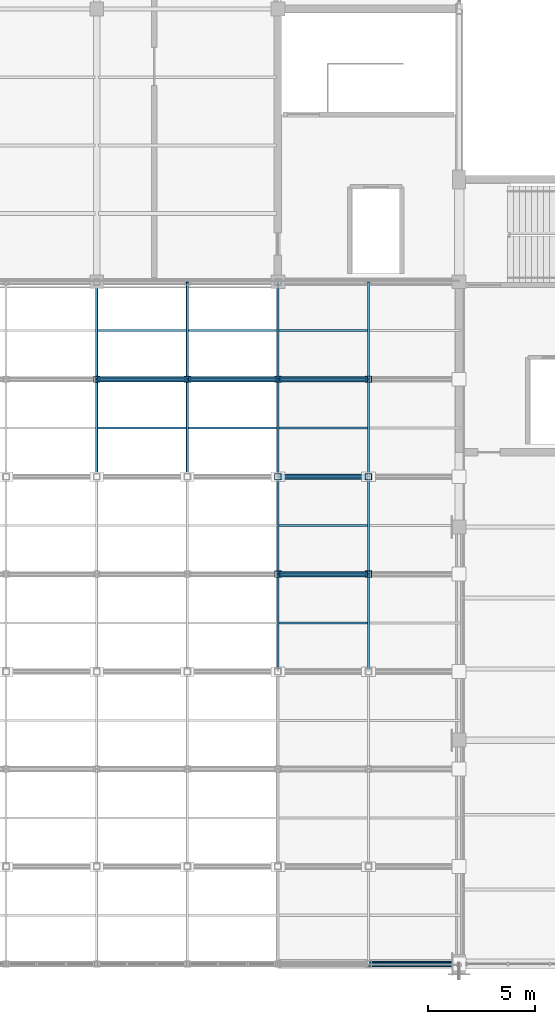
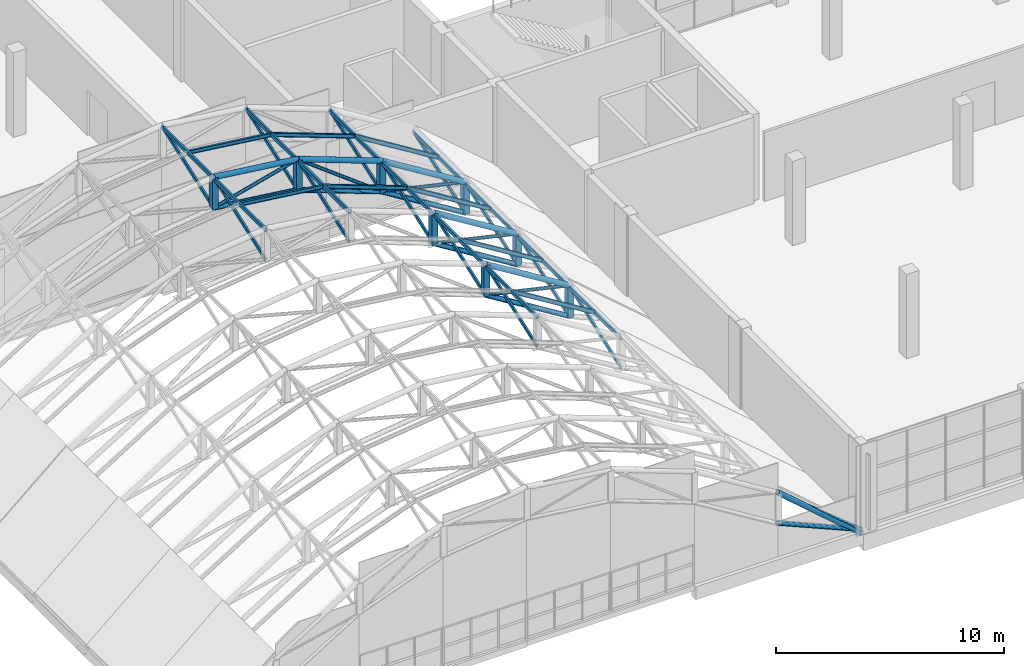
# One storey, part 16 of 86: 58 members.
"""IFC4 building model written with IfcOpenShell, lengths in metres."""

from ifc_helpers import new_model, si_unit, direction, frame, origin, origin_2d, place, context, subcontext, project, spatial, hollow_rectangle, hollow_circle, i_section, extrude, material, material_profile, profile_set, type_object, element, save


model = new_model("IFC4")

# Units and contexts
model_context = context("Model", 3, precision=1e-05, world=origin(), true_north=direction((0.0, 1.0)))
body_context = subcontext(model_context, "Body", "Model", "MODEL_VIEW")
ifc_project = project(units=[si_unit("LENGTHUNIT", "METRE"), si_unit("AREAUNIT", "SQUARE_METRE"), si_unit("VOLUMEUNIT", "CUBIC_METRE"), si_unit("PLANEANGLEUNIT", "RADIAN"), si_unit("MASSUNIT", "GRAM", prefix="KILO")], contexts=[model_context])

# Site, building, storey
site_placement = place(None, origin())
site = spatial("IfcSite", under=ifc_project, at=site_placement, CompositionType="ELEMENT")
building_placement = place(site_placement, origin())
building = spatial("IfcBuilding", under=site, at=building_placement, Name="Solvikara Media Centre", CompositionType="ELEMENT")
storey_placement = place(building_placement, frame((0.0, 0.0, 15.0)))
storey = spatial("IfcBuildingStorey", under=building, at=storey_placement, Name="L03", CompositionType="ELEMENT", Elevation=15.0)

# Members
ifc_material = material(Name="Steel S355JR", Category="steel")
ifc_material_profile_1 = material_profile(ifc_material, hollow_circle(Radius=0.136474609375, WallThickness=0.010009765625, at=origin_2d()), Name="CHS 273x10")
ifc_profile_set_1 = profile_set([ifc_material_profile_1], Name="Steel S355JR")
member_type_1 = type_object("IfcMemberType", Name="MB-03", PredefinedType="CHORD", material=ifc_profile_set_1)
member_1_placement = place(storey_placement, frame((29.75, 0.0, 3.3798828125), z_axis=(0.756439869263, 0.0, -0.654063241736), x_axis=(0.0, 1.0, 0.0)))
element("IfcMember", 1, at=member_1_placement, inside=storey, type_object=member_type_1, Name="Space Frame Vault Chord GC-TC-00-07", PredefinedType="CHORD", context=body_context, shape_type="SweptSolid", body=[
    extrude(hollow_circle(Radius=0.136474609375, WallThickness=0.010009765625, at=origin_2d()), origin(), (0.0, 0.0, 1.0), 5.618408203125),
])
for number, where, z_axis, x_axis, name in (
    (2, (25.5, 18.285888671875, 6.0048828125), (0.850797997359, 0.0, -0.525492880722), (0.0, 1.0, 0.0), "Space Frame Vault Chord GC-TC-04-06"),
    (3, (25.5, 22.85693359375, 6.0048828125), (0.850797997359, 0.0, -0.525492880722), (0.0, 1.0, 0.0), "Space Frame Vault Chord GC-TC-05-06"),
):
    element("IfcMember", number, at=place(storey_placement, frame(where, z_axis=z_axis, x_axis=x_axis)), inside=storey, type_object=member_type_1, Name=name, PredefinedType="CHORD", context=body_context, shape_type="SweptSolid", body=[
        extrude(hollow_circle(Radius=0.136474609375, WallThickness=0.010009765625, at=origin_2d()), origin(), (0.0, 0.0, 1.0), 4.995361328125),
    ])
member_2_placement = place(storey_placement, frame((17.0, 27.428955078125, 8.10498046875), z_axis=(0.992459240716, 0.0, -0.122575101536), x_axis=(0.0, 1.0, 0.0)))
element("IfcMember", 4, at=member_2_placement, inside=storey, type_object=member_type_1, Name="Space Frame Vault Chord GC-TC-06-04", PredefinedType="CHORD", context=body_context, shape_type="SweptSolid", body=[
    extrude(hollow_circle(Radius=0.136474609375, WallThickness=0.010009765625, at=origin_2d()), origin(), (0.0, 0.0, 1.0), 4.2822265625),
])
member_3_placement = place(storey_placement, frame((21.25, 27.428955078125, 7.580078125), z_axis=(0.937668166589, 0.0, -0.347531882516), x_axis=(0.0, 1.0, 0.0)))
element("IfcMember", 5, at=member_3_placement, inside=storey, type_object=member_type_1, Name="Space Frame Vault Chord GC-TC-06-05", PredefinedType="CHORD", context=body_context, shape_type="SweptSolid", body=[
    extrude(hollow_circle(Radius=0.136474609375, WallThickness=0.010009765625, at=origin_2d()), origin(), (0.0, 0.0, 1.0), 4.532470703125),
])
member_4_placement = place(storey_placement, frame((25.5, 27.428955078125, 6.0048828125), z_axis=(0.850797997359, 0.0, -0.525492880722), x_axis=(0.0, 1.0, 0.0)))
element("IfcMember", 6, at=member_4_placement, inside=storey, type_object=member_type_1, Name="Space Frame Vault Chord GC-TC-06-06", PredefinedType="CHORD", context=body_context, shape_type="SweptSolid", body=[
    extrude(hollow_circle(Radius=0.136474609375, WallThickness=0.010009765625, at=origin_2d()), origin(), (0.0, 0.0, 1.0), 4.995361328125),
])
ifc_material_profile_2 = material_profile(ifc_material, hollow_circle(Radius=0.122314453125, WallThickness=0.010009765625, at=origin_2d()), Name="CHS 244.5x10")
ifc_profile_set_2 = profile_set([ifc_material_profile_2], Name="Steel S355JR")
member_type_2 = type_object("IfcMemberType", Name="MB-04", PredefinedType="CHORD", material=ifc_profile_set_2)
member_5_placement = place(storey_placement, frame((29.75, 0.0, 1.72998046875), z_axis=(0.918466874624, 0.0, -0.395497914303), x_axis=(0.0, 1.0, 0.0)))
element("IfcMember", 7, at=member_5_placement, inside=storey, type_object=member_type_2, Name="GC-BC-00-07", PredefinedType="CHORD", context=body_context, shape_type="SweptSolid", body=[
    extrude(hollow_circle(Radius=0.122314453125, WallThickness=0.010009765625, at=origin_2d()), origin(), (0.0, 0.0, 1.0), 4.627197265625),
])
for number, where, z_axis, x_axis, name in (
    (8, (25.5, 18.285888671875, 4.35498046875), (0.850797997359, 0.0, -0.525492880722), (0.0, 1.0, 0.0), "GC-BC-04-06"),
    (9, (25.5, 22.85693359375, 4.35498046875), (0.850797997359, 0.0, -0.525492880722), (0.0, 1.0, 0.0), "GC-BC-05-06"),
):
    element("IfcMember", number, at=place(storey_placement, frame(where, z_axis=z_axis, x_axis=x_axis)), inside=storey, type_object=member_type_2, Name=name, PredefinedType="CHORD", context=body_context, shape_type="SweptSolid", body=[
        extrude(hollow_circle(Radius=0.122314453125, WallThickness=0.010009765625, at=origin_2d()), origin(), (0.0, 0.0, 1.0), 4.995361328125),
    ])
member_6_placement = place(storey_placement, frame((17.0, 27.428955078125, 6.455078125), z_axis=(0.992452303661, 0.0, -0.122631256042), x_axis=(0.0, 1.0, 0.0)))
element("IfcMember", 10, at=member_6_placement, inside=storey, type_object=member_type_2, Name="GC-BC-06-04", PredefinedType="CHORD", context=body_context, shape_type="SweptSolid", body=[
    extrude(hollow_circle(Radius=0.122314453125, WallThickness=0.010009765625, at=origin_2d()), origin(), (0.0, 0.0, 1.0), 4.2822265625),
])
member_7_placement = place(storey_placement, frame((21.25, 27.428955078125, 5.929931640625), z_axis=(0.93768571843, 0.0, -0.34748452261), x_axis=(0.0, 1.0, 0.0)))
element("IfcMember", 11, at=member_7_placement, inside=storey, type_object=member_type_2, Name="GC-BC-06-05", PredefinedType="CHORD", context=body_context, shape_type="SweptSolid", body=[
    extrude(hollow_circle(Radius=0.122314453125, WallThickness=0.010009765625, at=origin_2d()), origin(), (0.0, 0.0, 1.0), 4.532470703125),
])
member_8_placement = place(storey_placement, frame((25.5, 27.428955078125, 4.35498046875), z_axis=(0.850797997359, 0.0, -0.525492880722), x_axis=(0.0, 1.0, 0.0)))
element("IfcMember", 12, at=member_8_placement, inside=storey, type_object=member_type_2, Name="GC-BC-06-06", PredefinedType="CHORD", context=body_context, shape_type="SweptSolid", body=[
    extrude(hollow_circle(Radius=0.122314453125, WallThickness=0.010009765625, at=origin_2d()), origin(), (0.0, 0.0, 1.0), 4.995361328125),
])
ifc_material_profile_3 = material_profile(ifc_material, hollow_circle(Radius=0.084228515625, WallThickness=0.007080078125, at=origin_2d()), Name="CHS 168.3x7.1")
ifc_profile_set_3 = profile_set([ifc_material_profile_3], Name="Steel S355JR")
member_type_3 = type_object("IfcMemberType", Name="MB-07", PredefinedType="BRACE", material=ifc_profile_set_3)
member_9_placement = place(storey_placement, frame((29.75, 0.0, 3.3798828125), z_axis=(0.773715650361, 0.0, -0.633533023911), x_axis=(0.0, 1.0, 0.0)))
element("IfcMember", 13, at=member_9_placement, inside=storey, type_object=member_type_3, Name="GC-DG-00-07", PredefinedType="BRACE", context=body_context, shape_type="SweptSolid", body=[
    extrude(hollow_circle(Radius=0.084228515625, WallThickness=0.007080078125, at=origin_2d()), origin(), (0.0, 0.0, 1.0), 5.492919921875),
])
for number, where, z_axis, x_axis, name in (
    (14, (25.5, 18.285888671875, 4.35498046875), (0.974675396372, 0.0, -0.223624398731), (0.0, 1.0, 0.0), "GC-DG-04-06"),
    (15, (25.5, 22.85693359375, 4.35498046875), (0.974675396372, 0.0, -0.223624398731), (0.0, 1.0, 0.0), "GC-DG-05-06"),
):
    element("IfcMember", number, at=place(storey_placement, frame(where, z_axis=z_axis, x_axis=x_axis)), inside=storey, type_object=member_type_3, Name=name, PredefinedType="BRACE", context=body_context, shape_type="SweptSolid", body=[
        extrude(hollow_circle(Radius=0.084228515625, WallThickness=0.007080078125, at=origin_2d()), origin(), (0.0, 0.0, 1.0), 4.3603515625),
    ])
member_10_placement = place(storey_placement, frame((17.0, 27.428955078125, 6.455078125), z_axis=(0.966705227862, 0.0, 0.255892560316), x_axis=(0.0, 1.0, 0.0)))
element("IfcMember", 16, at=member_10_placement, inside=storey, type_object=member_type_3, Name="GC-DG-06-04", PredefinedType="BRACE", context=body_context, shape_type="SweptSolid", body=[
    extrude(hollow_circle(Radius=0.084228515625, WallThickness=0.007080078125, at=origin_2d()), origin(), (0.0, 0.0, 1.0), 4.396484375),
])
member_11_placement = place(storey_placement, frame((21.25, 27.428955078125, 7.580078125), z_axis=(0.796604645228, 0.0, -0.604500652772), x_axis=(0.0, 1.0, 0.0)))
element("IfcMember", 17, at=member_11_placement, inside=storey, type_object=member_type_3, Name="GC-DG-06-05", PredefinedType="BRACE", context=body_context, shape_type="SweptSolid", body=[
    extrude(hollow_circle(Radius=0.084228515625, WallThickness=0.007080078125, at=origin_2d()), origin(), (0.0, 0.0, 1.0), 5.335205078125),
])
member_12_placement = place(storey_placement, frame((25.5, 27.428955078125, 4.35498046875), z_axis=(0.974675396372, 0.0, -0.223624398731), x_axis=(0.0, 1.0, 0.0)))
element("IfcMember", 18, at=member_12_placement, inside=storey, type_object=member_type_3, Name="GC-DG-06-06", PredefinedType="BRACE", context=body_context, shape_type="SweptSolid", body=[
    extrude(hollow_circle(Radius=0.084228515625, WallThickness=0.007080078125, at=origin_2d()), origin(), (0.0, 0.0, 1.0), 4.3603515625),
])
ifc_material_profile_4 = material_profile(ifc_material, hollow_rectangle(XDim=0.300048828125, YDim=0.300048828125, WallThickness=0.012451171875, at=origin_2d()), Name="RHS 300x300x12.5")
ifc_profile_set_4 = profile_set([ifc_material_profile_4], Name="Steel S355JR")
member_type_4 = type_object("IfcMemberType", Name="MB-11", PredefinedType="CHORD", material=ifc_profile_set_4)
for number, where, z_axis, x_axis, name in (
    (19, (25.5, 18.285888671875, 4.35498046875), (0.0, 0.0, 1.0), (1.0, 0.0, 0.0), "GC-VT-04-06"),
    (20, (29.75, 18.285888671875, 1.72998046875), (0.0, 0.0, 1.0), (1.0, 0.0, 0.0), "GC-VT-04-07"),
    (21, (25.5, 22.85693359375, 4.35498046875), (0.0, 0.0, 1.0), (1.0, 0.0, 0.0), "GC-VT-05-06"),
    (22, (29.75, 22.85693359375, 1.72998046875), (0.0, 0.0, 1.0), (1.0, 0.0, 0.0), "GC-VT-05-07"),
    (23, (17.0, 27.428955078125, 6.455078125), (0.0, 0.0, 1.0), (1.0, 0.0, 0.0), "GC-VT-06-04"),
):
    element("IfcMember", number, at=place(storey_placement, frame(where, z_axis=z_axis, x_axis=x_axis)), inside=storey, type_object=member_type_4, Name=name, PredefinedType="CHORD", context=body_context, shape_type="SweptSolid", body=[
        extrude(hollow_rectangle(XDim=0.300048828125, YDim=0.300048828125, WallThickness=0.012451171875, at=origin_2d()), origin(), (0.0, 0.0, 1.0), 1.64990234375),
    ])
member_13_placement = place(storey_placement, frame((21.25, 27.428955078125, 5.929931640625), z_axis=(0.0, 0.0, 1.0), x_axis=(1.0, 0.0, 0.0)))
element("IfcMember", 24, at=member_13_placement, inside=storey, type_object=member_type_4, Name="GC-VT-06-05", PredefinedType="CHORD", context=body_context, shape_type="SweptSolid", body=[
    extrude(hollow_rectangle(XDim=0.300048828125, YDim=0.300048828125, WallThickness=0.012451171875, at=origin_2d()), origin(), (0.0, 0.0, 1.0), 1.650146484375),
])
for number, where, z_axis, x_axis, name in (
    (25, (25.5, 27.428955078125, 4.35498046875), (0.0, 0.0, 1.0), (1.0, 0.0, 0.0), "GC-VT-06-06"),
    (26, (29.75, 27.428955078125, 1.72998046875), (0.0, 0.0, 1.0), (1.0, 0.0, 0.0), "GC-VT-06-07"),
):
    element("IfcMember", number, at=place(storey_placement, frame(where, z_axis=z_axis, x_axis=x_axis)), inside=storey, type_object=member_type_4, Name=name, PredefinedType="CHORD", context=body_context, shape_type="SweptSolid", body=[
        extrude(hollow_rectangle(XDim=0.300048828125, YDim=0.300048828125, WallThickness=0.012451171875, at=origin_2d()), origin(), (0.0, 0.0, 1.0), 1.64990234375),
    ])
ifc_material_profile_5 = material_profile(ifc_material, hollow_rectangle(XDim=0.10009765625, YDim=0.199951171875, WallThickness=0.00634765625, at=origin_2d()), Name="RHS 200x100x6.3")
ifc_profile_set_5 = profile_set([ifc_material_profile_5], Name="Steel S355JR")
member_type_5 = type_object("IfcMemberType", Name="MB-17", PredefinedType="PURLIN", material=ifc_profile_set_5)
for number, where, z_axis, x_axis, name in (
    (27, (25.5, 13.714111328125, 5.93994140625), (0.0, 1.0, 0.0), (-1.0, 0.0, 0.0), "GC-PRL-03-06"),
    (28, (29.75, 13.714111328125, 3.31494140625), (0.0, 1.0, 0.0), (-1.0, 0.0, 0.0), "GC-PRL-03-07"),
):
    element("IfcMember", number, at=place(storey_placement, frame(where, z_axis=z_axis, x_axis=x_axis)), inside=storey, type_object=member_type_5, Name=name, PredefinedType="PURLIN", context=body_context, shape_type="SweptSolid", body=[
        extrude(hollow_rectangle(XDim=0.10009765625, YDim=0.199951171875, WallThickness=0.00634765625, at=origin_2d()), origin(), (0.0, 0.0, 1.0), 4.57177734375),
    ])
for number, where, z_axis, x_axis, name in (
    (29, (25.5, 18.285888671875, 5.93994140625), (0.0, 1.0, 0.0), (-1.0, 0.0, 0.0), "GC-PRL-04-06"),
    (30, (29.75, 18.285888671875, 3.31494140625), (0.0, 1.0, 0.0), (-1.0, 0.0, 0.0), "GC-PRL-04-07"),
):
    element("IfcMember", number, at=place(storey_placement, frame(where, z_axis=z_axis, x_axis=x_axis)), inside=storey, type_object=member_type_5, Name=name, PredefinedType="PURLIN", context=body_context, shape_type="SweptSolid", body=[
        extrude(hollow_rectangle(XDim=0.10009765625, YDim=0.199951171875, WallThickness=0.00634765625, at=origin_2d()), origin(), (0.0, 0.0, 1.0), 4.571044921875),
    ])
for number, where, z_axis, x_axis, name in (
    (31, (17.0, 22.85693359375, 8.0400390625), (0.0, 1.0, 0.0), (-1.0, 0.0, 0.0), "GC-PRL-05-04"),
    (32, (21.25, 22.85693359375, 7.514892578125), (0.0, 1.0, 0.0), (-1.0, 0.0, 0.0), "GC-PRL-05-05"),
    (33, (25.5, 22.85693359375, 5.93994140625), (0.0, 1.0, 0.0), (-1.0, 0.0, 0.0), "GC-PRL-05-06"),
    (34, (29.75, 22.85693359375, 3.31494140625), (0.0, 1.0, 0.0), (-1.0, 0.0, 0.0), "GC-PRL-05-07"),
):
    element("IfcMember", number, at=place(storey_placement, frame(where, z_axis=z_axis, x_axis=x_axis)), inside=storey, type_object=member_type_5, Name=name, PredefinedType="PURLIN", context=body_context, shape_type="SweptSolid", body=[
        extrude(hollow_rectangle(XDim=0.10009765625, YDim=0.199951171875, WallThickness=0.00634765625, at=origin_2d()), origin(), (0.0, 0.0, 1.0), 4.572021484375),
    ])
for number, where, z_axis, x_axis, name in (
    (35, (17.0, 27.428955078125, 8.0400390625), (0.0, 1.0, 0.0), (-1.0, 0.0, 0.0), "GC-PRL-06-04"),
    (36, (21.25, 27.428955078125, 7.514892578125), (0.0, 1.0, 0.0), (-1.0, 0.0, 0.0), "GC-PRL-06-05"),
    (37, (25.5, 27.428955078125, 5.93994140625), (0.0, 1.0, 0.0), (-1.0, 0.0, 0.0), "GC-PRL-06-06"),
    (38, (29.75, 27.428955078125, 3.31494140625), (0.0, 1.0, 0.0), (-1.0, 0.0, 0.0), "GC-PRL-06-07"),
):
    element("IfcMember", number, at=place(storey_placement, frame(where, z_axis=z_axis, x_axis=x_axis)), inside=storey, type_object=member_type_5, Name=name, PredefinedType="PURLIN", context=body_context, shape_type="SweptSolid", body=[
        extrude(hollow_rectangle(XDim=0.10009765625, YDim=0.199951171875, WallThickness=0.00634765625, at=origin_2d()), origin(), (0.0, 0.0, 1.0), 4.571044921875),
    ])
ifc_material_profile_6 = material_profile(ifc_material, i_section(OverallWidth=0.10009765625, OverallDepth=0.199951171875, WebThickness=0.005615234375, FlangeThickness=0.008056640625, at=origin_2d()), Name="WF 200x100x5.5x8")
ifc_profile_set_6 = profile_set([ifc_material_profile_6], Name="Steel S355JR")
member_type_6 = type_object("IfcMemberType", Name="MB-21", PredefinedType="PURLIN", material=ifc_profile_set_6)
for number, where, z_axis, x_axis, name in (
    (39, (25.5, 16.0, 5.93994140625), (0.850797997359, 0.0, -0.525492880722), (0.0, 1.0, 0.0), "GC-SUB-03-06"),
    (40, (25.5, 20.572021484375, 5.93994140625), (0.850797997359, 0.0, -0.525492880722), (0.0, 1.0, 0.0), "GC-SUB-04-06"),
):
    element("IfcMember", number, at=place(storey_placement, frame(where, z_axis=z_axis, x_axis=x_axis)), inside=storey, type_object=member_type_6, Name=name, PredefinedType="PURLIN", context=body_context, shape_type="SweptSolid", body=[
        extrude(i_section(OverallWidth=0.10009765625, OverallDepth=0.199951171875, WebThickness=0.005615234375, FlangeThickness=0.008056640625, at=origin_2d()), origin(), (0.0, 0.0, 1.0), 4.995361328125),
    ])
member_14_placement = place(storey_placement, frame((17.0, 25.14306640625, 8.0400390625), z_axis=(0.992452303661, 0.0, -0.122631256042), x_axis=(0.0, 1.0, 0.0)))
element("IfcMember", 41, at=member_14_placement, inside=storey, type_object=member_type_6, Name="GC-SUB-05-04", PredefinedType="PURLIN", context=body_context, shape_type="SweptSolid", body=[
    extrude(i_section(OverallWidth=0.10009765625, OverallDepth=0.199951171875, WebThickness=0.005615234375, FlangeThickness=0.008056640625, at=origin_2d()), origin(), (0.0, 0.0, 1.0), 4.2822265625),
])
member_15_placement = place(storey_placement, frame((21.25, 25.14306640625, 7.514892578125), z_axis=(0.93768571843, 0.0, -0.34748452261), x_axis=(0.0, 1.0, 0.0)))
element("IfcMember", 42, at=member_15_placement, inside=storey, type_object=member_type_6, Name="GC-SUB-05-05", PredefinedType="PURLIN", context=body_context, shape_type="SweptSolid", body=[
    extrude(i_section(OverallWidth=0.10009765625, OverallDepth=0.199951171875, WebThickness=0.005615234375, FlangeThickness=0.008056640625, at=origin_2d()), origin(), (0.0, 0.0, 1.0), 4.532470703125),
])
member_16_placement = place(storey_placement, frame((25.5, 25.14306640625, 5.93994140625), z_axis=(0.850797997359, 0.0, -0.525492880722), x_axis=(0.0, 1.0, 0.0)))
element("IfcMember", 43, at=member_16_placement, inside=storey, type_object=member_type_6, Name="GC-SUB-05-06", PredefinedType="PURLIN", context=body_context, shape_type="SweptSolid", body=[
    extrude(i_section(OverallWidth=0.10009765625, OverallDepth=0.199951171875, WebThickness=0.005615234375, FlangeThickness=0.008056640625, at=origin_2d()), origin(), (0.0, 0.0, 1.0), 4.995361328125),
])
member_17_placement = place(storey_placement, frame((17.0, 29.715087890625, 8.0400390625), z_axis=(0.992452303661, 0.0, -0.122631256042), x_axis=(0.0, 1.0, 0.0)))
element("IfcMember", 44, at=member_17_placement, inside=storey, type_object=member_type_6, Name="GC-SUB-06-04", PredefinedType="PURLIN", context=body_context, shape_type="SweptSolid", body=[
    extrude(i_section(OverallWidth=0.10009765625, OverallDepth=0.199951171875, WebThickness=0.005615234375, FlangeThickness=0.008056640625, at=origin_2d()), origin(), (0.0, 0.0, 1.0), 4.2822265625),
])
member_18_placement = place(storey_placement, frame((21.25, 29.715087890625, 7.514892578125), z_axis=(0.93768571843, 0.0, -0.34748452261), x_axis=(0.0, 1.0, 0.0)))
element("IfcMember", 45, at=member_18_placement, inside=storey, type_object=member_type_6, Name="GC-SUB-06-05", PredefinedType="PURLIN", context=body_context, shape_type="SweptSolid", body=[
    extrude(i_section(OverallWidth=0.10009765625, OverallDepth=0.199951171875, WebThickness=0.005615234375, FlangeThickness=0.008056640625, at=origin_2d()), origin(), (0.0, 0.0, 1.0), 4.532470703125),
])
member_19_placement = place(storey_placement, frame((25.5, 29.715087890625, 5.93994140625), z_axis=(0.850797997359, 0.0, -0.525492880722), x_axis=(0.0, 1.0, 0.0)))
element("IfcMember", 46, at=member_19_placement, inside=storey, type_object=member_type_6, Name="GC-SUB-06-06", PredefinedType="PURLIN", context=body_context, shape_type="SweptSolid", body=[
    extrude(i_section(OverallWidth=0.10009765625, OverallDepth=0.199951171875, WebThickness=0.005615234375, FlangeThickness=0.008056640625, at=origin_2d()), origin(), (0.0, 0.0, 1.0), 4.995361328125),
])
ifc_material_profile_7 = material_profile(ifc_material, hollow_rectangle(XDim=0.090087890625, YDim=0.169921875, WallThickness=0.0048828125, at=origin_2d()), Name="RHS 170x90x5")
ifc_profile_set_7 = profile_set([ifc_material_profile_7], Name="Steel S355JR")
member_type_7 = type_object("IfcMemberType", Name="MB-26", PredefinedType="PURLIN", material=ifc_profile_set_7)
for number, where, z_axis, x_axis, name in (
    (47, (25.5, 13.714111328125, 4.35498046875), (0.0, 0.94062074149, 0.339459306365), (-1.0, 0.0, 0.0), "GC-3D-03-06"),
    (48, (29.75, 13.714111328125, 1.72998046875), (0.0, 0.94062074149, 0.339459306365), (-1.0, 0.0, 0.0), "GC-3D-03-07"),
):
    element("IfcMember", number, at=place(storey_placement, frame(where, z_axis=z_axis, x_axis=x_axis)), inside=storey, type_object=member_type_7, Name=name, PredefinedType="PURLIN", context=body_context, shape_type="SweptSolid", body=[
        extrude(hollow_rectangle(XDim=0.090087890625, YDim=0.169921875, WallThickness=0.0048828125, at=origin_2d()), origin(), (0.0, 0.0, 1.0), 4.8603515625),
    ])
for number, where, z_axis, x_axis, name in (
    (49, (25.5, 18.285888671875, 4.35498046875), (0.0, 0.94060337314, 0.339507429134), (-1.0, 0.0, 0.0), "GC-3D-04-06"),
    (50, (29.75, 18.285888671875, 1.72998046875), (0.0, 0.94060337314, 0.339507429134), (-1.0, 0.0, 0.0), "GC-3D-04-07"),
):
    element("IfcMember", number, at=place(storey_placement, frame(where, z_axis=z_axis, x_axis=x_axis)), inside=storey, type_object=member_type_7, Name=name, PredefinedType="PURLIN", context=body_context, shape_type="SweptSolid", body=[
        extrude(hollow_rectangle(XDim=0.090087890625, YDim=0.169921875, WallThickness=0.0048828125, at=origin_2d()), origin(), (0.0, 0.0, 1.0), 4.859619140625),
    ])
for number, where, z_axis, x_axis, name in (
    (51, (17.0, 22.85693359375, 6.455078125), (0.0, 0.9406265293, 0.339443268276), (-1.0, 0.0, 0.0), "GC-3D-05-04"),
    (52, (21.25, 22.85693359375, 5.929931640625), (0.0, 0.940610491143, 0.339487708102), (-1.0, 0.0, 0.0), "GC-3D-05-05"),
    (53, (25.5, 22.85693359375, 4.35498046875), (0.0, 0.9406265293, 0.339443268276), (-1.0, 0.0, 0.0), "GC-3D-05-06"),
    (54, (29.75, 22.85693359375, 1.72998046875), (0.0, 0.9406265293, 0.339443268276), (-1.0, 0.0, 0.0), "GC-3D-05-07"),
):
    element("IfcMember", number, at=place(storey_placement, frame(where, z_axis=z_axis, x_axis=x_axis)), inside=storey, type_object=member_type_7, Name=name, PredefinedType="PURLIN", context=body_context, shape_type="SweptSolid", body=[
        extrude(hollow_rectangle(XDim=0.090087890625, YDim=0.169921875, WallThickness=0.0048828125, at=origin_2d()), origin(), (0.0, 0.0, 1.0), 4.860595703125),
    ])
member_20_placement = place(storey_placement, frame((17.0, 27.428955078125, 6.455078125), z_axis=(0.0, 0.94060337314, 0.339507429134), x_axis=(-1.0, 0.0, 0.0)))
element("IfcMember", 55, at=member_20_placement, inside=storey, type_object=member_type_7, Name="GC-3D-06-04", PredefinedType="PURLIN", context=body_context, shape_type="SweptSolid", body=[
    extrude(hollow_rectangle(XDim=0.090087890625, YDim=0.169921875, WallThickness=0.0048828125, at=origin_2d()), origin(), (0.0, 0.0, 1.0), 4.859619140625),
])
member_21_placement = place(storey_placement, frame((21.25, 27.428955078125, 5.929931640625), z_axis=(0.0, 0.940587329315, 0.339551875172), x_axis=(-1.0, 0.0, 0.0)))
element("IfcMember", 56, at=member_21_placement, inside=storey, type_object=member_type_7, Name="GC-3D-06-05", PredefinedType="PURLIN", context=body_context, shape_type="SweptSolid", body=[
    extrude(hollow_rectangle(XDim=0.090087890625, YDim=0.169921875, WallThickness=0.0048828125, at=origin_2d()), origin(), (0.0, 0.0, 1.0), 4.85986328125),
])
for number, where, z_axis, x_axis, name in (
    (57, (25.5, 27.428955078125, 4.35498046875), (0.0, 0.94060337314, 0.339507429134), (-1.0, 0.0, 0.0), "GC-3D-06-06"),
    (58, (29.75, 27.428955078125, 1.72998046875), (0.0, 0.94060337314, 0.339507429134), (-1.0, 0.0, 0.0), "GC-3D-06-07"),
):
    element("IfcMember", number, at=place(storey_placement, frame(where, z_axis=z_axis, x_axis=x_axis)), inside=storey, type_object=member_type_7, Name=name, PredefinedType="PURLIN", context=body_context, shape_type="SweptSolid", body=[
        extrude(hollow_rectangle(XDim=0.090087890625, YDim=0.169921875, WallThickness=0.0048828125, at=origin_2d()), origin(), (0.0, 0.0, 1.0), 4.859619140625),
    ])

save(model, "model.ifc")
